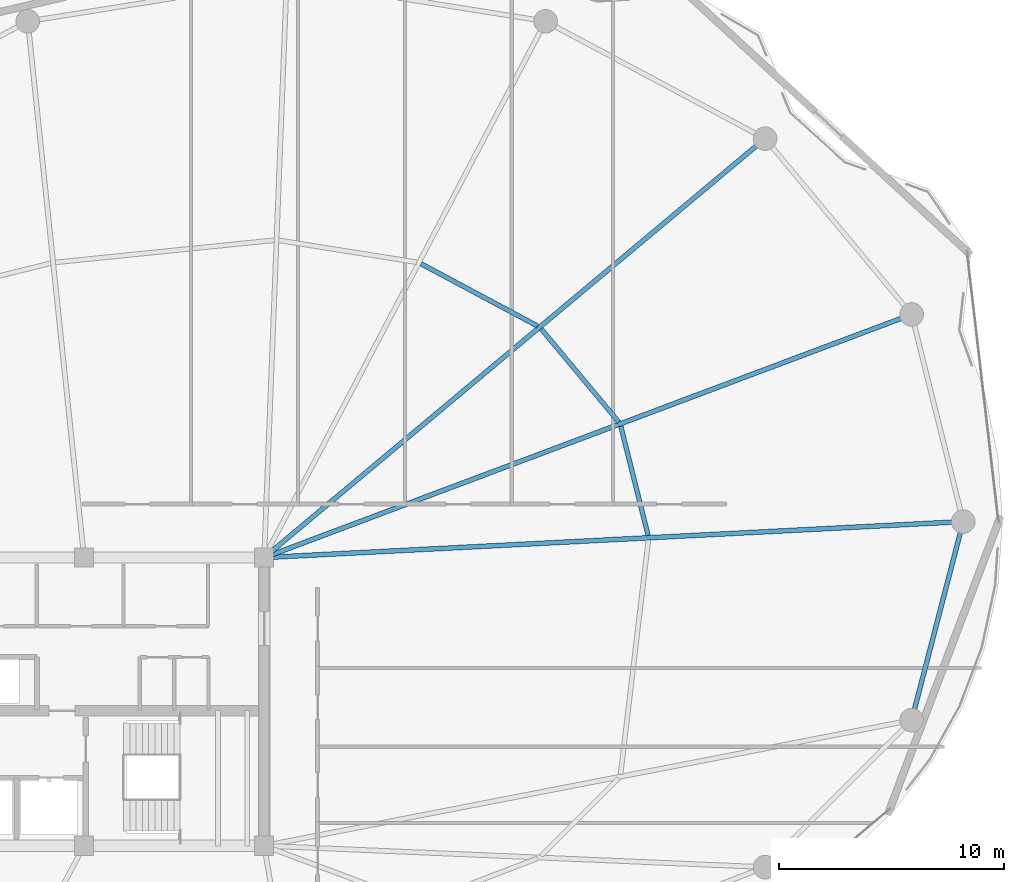
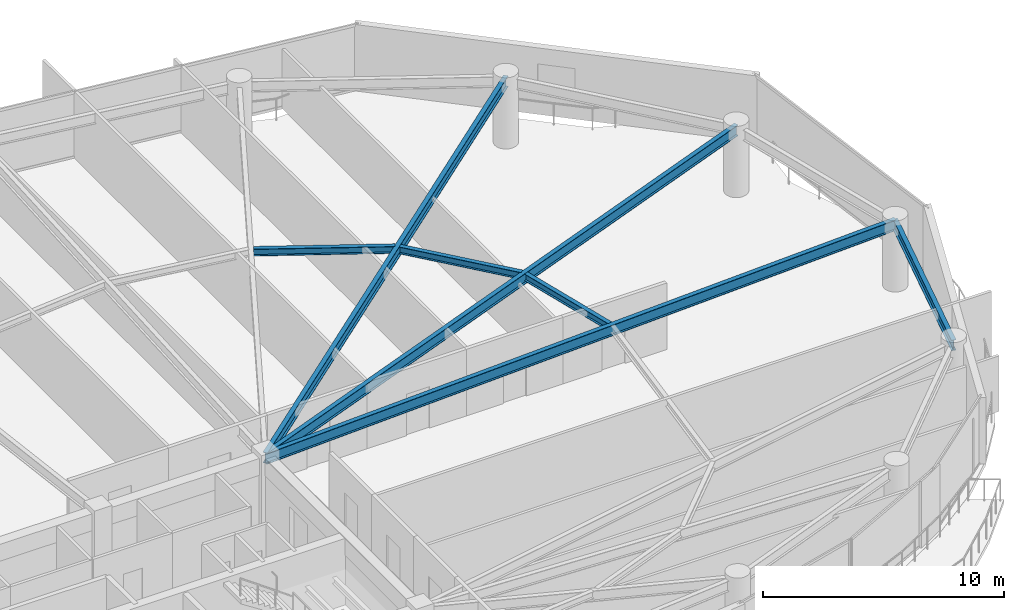
# One storey, part 15 of 31: 7 beams.
"""IFC4 building model written with IfcOpenShell, lengths in metres."""

from ifc_helpers import new_model, si_unit, direction, frame, origin, origin_2d, place, context, subcontext, project, spatial, i_section, extrude, material, material_profile, profile_set, type_object, element, save


model = new_model("IFC4")

# Units and contexts
model_context = context("Model", 3, precision=1e-05, world=origin(), true_north=direction((0.0, 1.0)))
body_context = subcontext(model_context, "Body", "Model", "MODEL_VIEW")
ifc_project = project(units=[si_unit("LENGTHUNIT", "METRE"), si_unit("AREAUNIT", "SQUARE_METRE"), si_unit("VOLUMEUNIT", "CUBIC_METRE"), si_unit("PLANEANGLEUNIT", "RADIAN"), si_unit("MASSUNIT", "GRAM", prefix="KILO")], contexts=[model_context])

# Site, building, storey
site_placement = place(None, origin())
site = spatial("IfcSite", under=ifc_project, at=site_placement, CompositionType="ELEMENT")
building_placement = place(site_placement, origin())
building = spatial("IfcBuilding", under=site, at=building_placement, Name="Kazevale Care Tower and Concert Hall", CompositionType="ELEMENT")
storey_placement = place(building_placement, frame((0.0, 0.0, 206.39990234375)))
storey = spatial("IfcBuildingStorey", under=building, at=storey_placement, Name="L54", CompositionType="ELEMENT", Elevation=206.39990234375)

# Beams
ifc_material = material(Name="Steel ASTM A572 Gr 50", Category="steel")
ifc_material_profile_1 = material_profile(ifc_material, i_section(OverallWidth=0.2119140625, OverallDepth=0.5439453125, WebThickness=0.01318359375, FlangeThickness=0.021240234375, at=origin_2d()), Name="W530x123")
ifc_profile_set_1 = profile_set([ifc_material_profile_1], Name="Steel ASTM A572 Gr 50")
beam_type_1 = type_object("IfcBeamType", Name="Radial Floor Girder W530x123", PredefinedType="BEAM", material=ifc_profile_set_1)
beam_1_placement = place(storey_placement, frame((44.0, 36.39990234375, 3.088134765625), z_axis=(0.998674821251, 0.051464564506, 0.0), x_axis=(-0.051464564506, 0.998674821251, 0.0)))
element("IfcBeam", 1, at=beam_1_placement, inside=storey, type_object=beam_type_1, Name="beam:L54:rad:01", PredefinedType="BEAM", context=body_context, shape_type="SweptSolid", body=[
    extrude(i_section(OverallWidth=0.2119140625, OverallDepth=0.5439453125, WebThickness=0.01318359375, FlangeThickness=0.021240234375, at=origin_2d()), origin(), (0.0, 0.0, 1.0), 31.09130859375),
])
beam_2_placement = place(storey_placement, frame((44.0, 36.39990234375, 3.088134765625), z_axis=(0.936168070124, 0.351552762015, 0.0), x_axis=(-0.351552762015, 0.936168070124, 0.0)))
element("IfcBeam", 2, at=beam_2_placement, inside=storey, type_object=beam_type_1, Name="beam:L54:rad:02", PredefinedType="BEAM", context=body_context, shape_type="SweptSolid", body=[
    extrude(i_section(OverallWidth=0.2119140625, OverallDepth=0.5439453125, WebThickness=0.01318359375, FlangeThickness=0.021240234375, at=origin_2d()), origin(), (0.0, 0.0, 1.0), 30.720947265625),
])
beam_3_placement = place(storey_placement, frame((44.0, 36.39990234375, 3.088134765625), z_axis=(0.767059624015, 0.64157582031, 0.0), x_axis=(-0.64157582031, 0.767059624015, 0.0)))
element("IfcBeam", 3, at=beam_3_placement, inside=storey, type_object=beam_type_1, Name="beam:L54:rad:03", PredefinedType="BEAM", context=body_context, shape_type="SweptSolid", body=[
    extrude(i_section(OverallWidth=0.2119140625, OverallDepth=0.5439453125, WebThickness=0.01318359375, FlangeThickness=0.021240234375, at=origin_2d()), origin(), (0.0, 0.0, 1.0), 29.0068359375),
])
ifc_material_profile_2 = material_profile(ifc_material, i_section(OverallWidth=0.205078125, OverallDepth=0.35400390625, WebThickness=0.009521484375, FlangeThickness=0.016845703125, at=origin_2d()), Name="W360x79")
ifc_profile_set_2 = profile_set([ifc_material_profile_2], Name="Steel ASTM A572 Gr 50")
beam_type_2 = type_object("IfcBeamType", Name="Secondary Floor Joist W360x79", PredefinedType="JOIST", material=ifc_profile_set_2)
beam_4_placement = place(storey_placement, frame((61.052001953125, 37.382080078125, 3.18310546875), z_axis=(-0.241594204931, 0.970377369967, 0.0), x_axis=(-0.970377369967, -0.241594204931, 0.0)))
element("IfcBeam", 4, at=beam_4_placement, inside=storey, type_object=beam_type_2, Name="beam:L54:joist:01", PredefinedType="JOIST", context=body_context, shape_type="SweptSolid", body=[
    extrude(i_section(OverallWidth=0.205078125, OverallDepth=0.35400390625, WebThickness=0.009521484375, FlangeThickness=0.016845703125, at=origin_2d()), origin(), (0.0, 0.0, 1.0), 5.004150390625),
])
beam_5_placement = place(storey_placement, frame((59.7509765625, 42.4208984375, 3.18310546875), z_axis=(-0.640295940788, 0.768128314939, 0.0), x_axis=(-0.768128314939, -0.640295940788, 0.0)))
element("IfcBeam", 5, at=beam_5_placement, inside=storey, type_object=beam_type_2, Name="beam:L54:joist:02", PredefinedType="JOIST", context=body_context, shape_type="SweptSolid", body=[
    extrude(i_section(OverallWidth=0.205078125, OverallDepth=0.35400390625, WebThickness=0.009521484375, FlangeThickness=0.016845703125, at=origin_2d()), origin(), (0.0, 0.0, 1.0), 5.3818359375),
])
beam_6_placement = place(storey_placement, frame((56.14501953125, 46.68505859375, 3.18310546875), z_axis=(-0.881943890935, 0.471354403016, 0.0), x_axis=(-0.471354403016, -0.881943890935, 0.0)))
element("IfcBeam", 6, at=beam_6_placement, inside=storey, type_object=beam_type_2, Name="beam:L54:joist:03", PredefinedType="JOIST", context=body_context, shape_type="SweptSolid", body=[
    extrude(i_section(OverallWidth=0.205078125, OverallDepth=0.35400390625, WebThickness=0.009521484375, FlangeThickness=0.016845703125, at=origin_2d()), origin(), (0.0, 0.0, 1.0), 5.869873046875),
])
ifc_material_profile_3 = material_profile(ifc_material, i_section(OverallWidth=0.208984375, OverallDepth=0.532958984375, WebThickness=0.01025390625, FlangeThickness=0.015625, at=origin_2d()), Name="W530x92")
ifc_profile_set_3 = profile_set([ifc_material_profile_3], Name="Steel ASTM A572 Gr 50")
beam_type_3 = type_object("IfcBeamType", Name="Upper Ring Beam W530x92", PredefinedType="BEAM", material=ifc_profile_set_3)
beam_7_placement = place(storey_placement, frame((72.760009765625, 29.179931640625, 3.093505859375), z_axis=(0.251307095899, 0.96790740443, 0.0), x_axis=(-0.96790740443, 0.251307095899, 0.0)))
element("IfcBeam", 7, at=beam_7_placement, inside=storey, type_object=beam_type_3, Name="beam:L54:ring:16", PredefinedType="BEAM", context=body_context, shape_type="SweptSolid", body=[
    extrude(i_section(OverallWidth=0.208984375, OverallDepth=0.532958984375, WebThickness=0.01025390625, FlangeThickness=0.015625, at=origin_2d()), origin(), (0.0, 0.0, 1.0), 9.112548828125),
])

save(model, "model.ifc")
